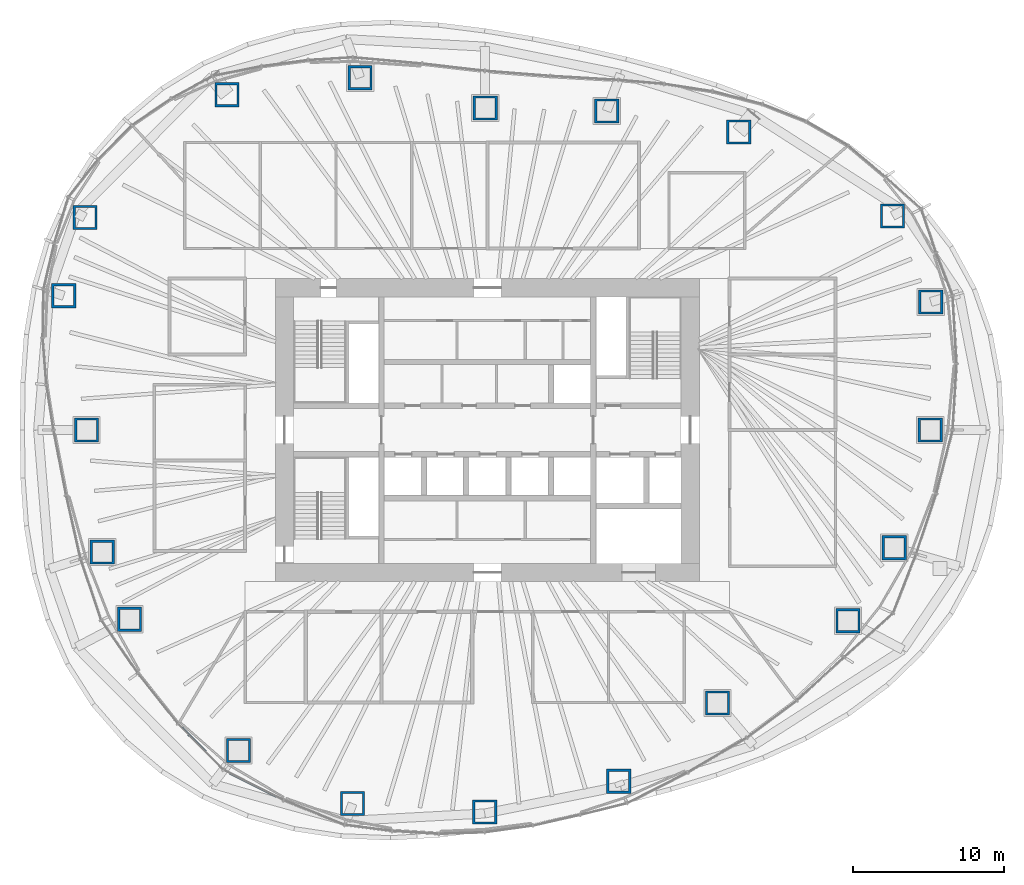
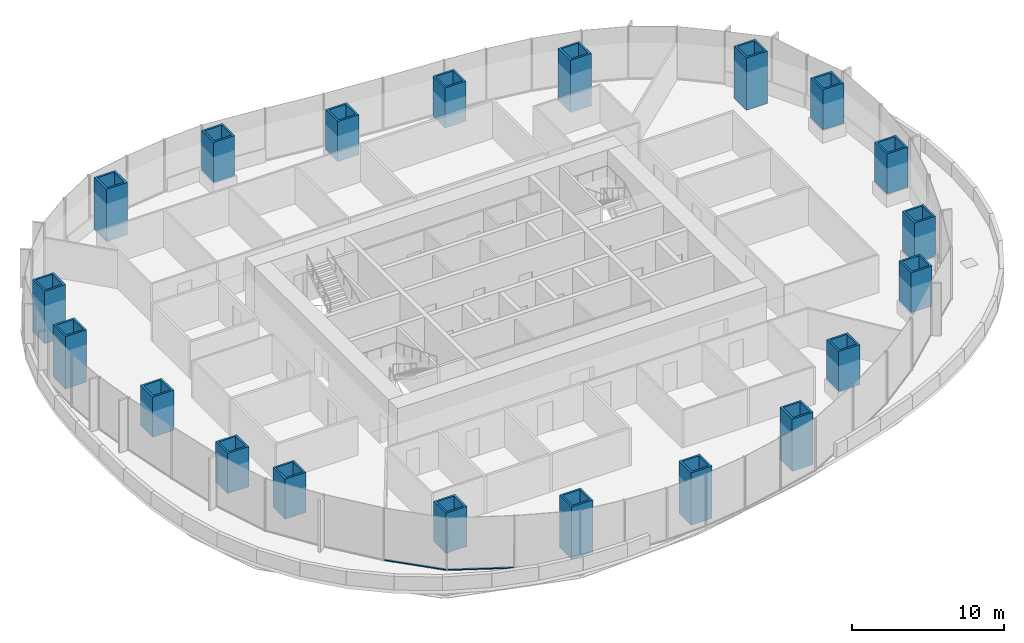
# One storey, part 1 of 20: 20 columns, 2 members, 2 elements without a shape of their own.
"""IFC4 building model written with IfcOpenShell, lengths in metres."""

from ifc_helpers import new_model, si_unit, direction, frame, origin, origin_2d, place, context, subcontext, project, spatial, rectangle, hollow_rectangle, extrude, material, material_profile, profile_set, type_object, element, aggregate, save


model = new_model("IFC4")

# Units and contexts
model_context = context("Model", 3, precision=1e-05, world=origin(), true_north=direction((0.0, 1.0)))
body_context = subcontext(model_context, "Body", "Model", "MODEL_VIEW")
ifc_project = project(units=[si_unit("LENGTHUNIT", "METRE"), si_unit("AREAUNIT", "SQUARE_METRE"), si_unit("VOLUMEUNIT", "CUBIC_METRE"), si_unit("PLANEANGLEUNIT", "RADIAN"), si_unit("MASSUNIT", "GRAM", prefix="KILO")], contexts=[model_context])

# Site, building, storey
site_placement = place(None, origin())
site = spatial("IfcSite", under=ifc_project, at=site_placement, CompositionType="ELEMENT")
building_placement = place(site_placement, origin())
building = spatial("IfcBuilding", under=site, at=building_placement, Name="Ghaith Harvest Tower", CompositionType="ELEMENT")
storey_placement = place(building_placement, frame((0.0, 0.0, 105.0)))
storey = spatial("IfcBuildingStorey", under=building, at=storey_placement, Name="L21", CompositionType="ELEMENT", Elevation=105.0)

# Columns
ifc_material_1 = material(Name="Steel S460M", Category="steel")
ifc_material_profile_1 = material_profile(ifc_material_1, hollow_rectangle(XDim=1.60009765625, YDim=1.60009765625, WallThickness=0.14990234375, at=origin_2d()), Name="BOX1600X1600X150")
ifc_profile_set_1 = profile_set([ifc_material_profile_1], Name="Steel S460M")
column_type = type_object("IfcColumnType", Name="TS11 BOX1600X1600X150", PredefinedType="COLUMN", material=ifc_profile_set_1)
for number, where, z_axis, x_axis, name in (
    (1, (29.259033203125, 0.0, 0.97509765625), (0.0, 0.0, 1.0), (1.0, 0.0, 0.0), "Perimeter column C01"),
    (2, (29.285888671875, 8.464111328125, 0.97509765625), (0.0, 0.0, 1.0), (1.0, 0.0, 0.0), "Perimeter column C02"),
):
    element("IfcColumn", number, at=place(storey_placement, frame(where, z_axis=z_axis, x_axis=x_axis)), inside=storey, type_object=column_type, Name=name, PredefinedType="COLUMN", context=body_context, shape_type="SweptSolid", body=[
        extrude(hollow_rectangle(XDim=1.60009765625, YDim=1.60009765625, WallThickness=0.14990234375, at=origin_2d()), origin(), (0.0, 0.0, 1.0), 3.224853515625),
    ])
for number, where, z_axis, x_axis, name in (
    (3, (26.763916015625, 14.14697265625, 0.0), (0.0, 0.0, 1.0), (1.0, 0.0, 0.0), "Perimeter column C03"),
    (4, (16.60791015625, 19.695068359375, 0.0), (0.0, 0.0, 1.0), (1.0, 0.0, 0.0), "Perimeter column C04"),
):
    element("IfcColumn", number, at=place(storey_placement, frame(where, z_axis=z_axis, x_axis=x_axis)), inside=storey, type_object=column_type, Name=name, PredefinedType="COLUMN", context=body_context, shape_type="SweptSolid", body=[
        extrude(hollow_rectangle(XDim=1.60009765625, YDim=1.60009765625, WallThickness=0.14990234375, at=origin_2d()), origin(), (0.0, 0.0, 1.0), 4.199951171875),
    ])
for number, where, z_axis, x_axis, name in (
    (5, (7.8779296875, 21.072021484375, 0.97509765625), (0.0, 0.0, 1.0), (1.0, 0.0, 0.0), "Perimeter column C05"),
    (6, (-0.14599609375, 21.27099609375, 0.97509765625), (0.0, 0.0, 1.0), (1.0, 0.0, 0.0), "Perimeter column C06"),
    (7, (-8.406982421875, 23.27587890625, 0.97509765625), (0.0, 0.0, 1.0), (1.0, 0.0, 0.0), "Perimeter column C07"),
):
    element("IfcColumn", number, at=place(storey_placement, frame(where, z_axis=z_axis, x_axis=x_axis)), inside=storey, type_object=column_type, Name=name, PredefinedType="COLUMN", context=body_context, shape_type="SweptSolid", body=[
        extrude(hollow_rectangle(XDim=1.60009765625, YDim=1.60009765625, WallThickness=0.14990234375, at=origin_2d()), origin(), (0.0, 0.0, 1.0), 3.224853515625),
    ])
for number, where, z_axis, x_axis, name in (
    (8, (-17.201904296875, 22.14990234375, 0.0), (0.0, 0.0, 1.0), (1.0, 0.0, 0.0), "Perimeter column C08"),
    (9, (-26.572998046875, 14.0458984375, 0.0), (0.0, 0.0, 1.0), (1.0, 0.0, 0.0), "Perimeter column C09"),
    (10, (-27.98291015625, 8.867919921875, 0.0), (0.0, 0.0, 1.0), (1.0, 0.0, 0.0), "Perimeter column C10"),
):
    element("IfcColumn", number, at=place(storey_placement, frame(where, z_axis=z_axis, x_axis=x_axis)), inside=storey, type_object=column_type, Name=name, PredefinedType="COLUMN", context=body_context, shape_type="SweptSolid", body=[
        extrude(hollow_rectangle(XDim=1.60009765625, YDim=1.60009765625, WallThickness=0.14990234375, at=origin_2d()), origin(), (0.0, 0.0, 1.0), 4.199951171875),
    ])
for number, where, z_axis, x_axis, name in (
    (11, (-26.47509765625, 0.0, 0.97509765625), (0.0, 0.0, 1.0), (1.0, 0.0, 0.0), "Perimeter column C11"),
    (12, (-25.43603515625, -8.06103515625, 0.97509765625), (0.0, 0.0, 1.0), (1.0, 0.0, 0.0), "Perimeter column C12"),
    (13, (-23.635009765625, -12.492919921875, 0.97509765625), (0.0, 0.0, 1.0), (1.0, 0.0, 0.0), "Perimeter column C13"),
    (14, (-16.43701171875, -21.1640625, 0.97509765625), (0.0, 0.0, 1.0), (1.0, 0.0, 0.0), "Perimeter column C14"),
):
    element("IfcColumn", number, at=place(storey_placement, frame(where, z_axis=z_axis, x_axis=x_axis)), inside=storey, type_object=column_type, Name=name, PredefinedType="COLUMN", context=body_context, shape_type="SweptSolid", body=[
        extrude(hollow_rectangle(XDim=1.60009765625, YDim=1.60009765625, WallThickness=0.14990234375, at=origin_2d()), origin(), (0.0, 0.0, 1.0), 3.224853515625),
    ])
for number, where, z_axis, x_axis, name in (
    (15, (-8.908935546875, -24.66796875, 0.0), (0.0, 0.0, 1.0), (1.0, 0.0, 0.0), "Perimeter column C15"),
    (16, (-0.173095703125, -25.22412109375, 0.0), (0.0, 0.0, 1.0), (1.0, 0.0, 0.0), "Perimeter column C16"),
    (17, (8.674072265625, -23.202880859375, 0.0), (0.0, 0.0, 1.0), (1.0, 0.0, 0.0), "Perimeter column C17"),
):
    element("IfcColumn", number, at=place(storey_placement, frame(where, z_axis=z_axis, x_axis=x_axis)), inside=storey, type_object=column_type, Name=name, PredefinedType="COLUMN", context=body_context, shape_type="SweptSolid", body=[
        extrude(hollow_rectangle(XDim=1.60009765625, YDim=1.60009765625, WallThickness=0.14990234375, at=origin_2d()), origin(), (0.0, 0.0, 1.0), 4.199951171875),
    ])
for number, where, z_axis, x_axis, name in (
    (18, (15.197998046875, -18.02294921875, 0.97509765625), (0.0, 0.0, 1.0), (1.0, 0.0, 0.0), "Perimeter column C18"),
    (19, (23.825927734375, -12.593994140625, 0.97509765625), (0.0, 0.0, 1.0), (1.0, 0.0, 0.0), "Perimeter column C19"),
    (20, (26.8779296875, -7.76806640625, 0.97509765625), (0.0, 0.0, 1.0), (1.0, 0.0, 0.0), "Perimeter column C20"),
):
    element("IfcColumn", number, at=place(storey_placement, frame(where, z_axis=z_axis, x_axis=x_axis)), inside=storey, type_object=column_type, Name=name, PredefinedType="COLUMN", context=body_context, shape_type="SweptSolid", body=[
        extrude(hollow_rectangle(XDim=1.60009765625, YDim=1.60009765625, WallThickness=0.14990234375, at=origin_2d()), origin(), (0.0, 0.0, 1.0), 3.224853515625),
    ])

# Curtain wall, member
ifc_material_2 = material(Name="Black anodised aluminium and fritted glass", Category="aluminium")
curtain_wall_type = type_object("IfcCurtainWallType", Name="CW-L CURTAIN WALL", PredefinedType="NOTDEFINED", material=ifc_material_2)
curtain_wall_1_placement = place(storey_placement, origin())
curtain_wall_1 = element("IfcCurtainWall", 21, at=curtain_wall_1_placement, inside=storey, type_object=curtain_wall_type, Name="Curtain wall CW-L bay 13 L21", PredefinedType="NOTDEFINED")
ifc_material_3 = material(Name="Aluminium, black anodised", Category="aluminium")
ifc_material_profile_2 = material_profile(ifc_material_3, rectangle(XDim=0.14990234375, YDim=0.080078125, at=origin_2d()), Name="CW-L TRANSOM 150x80")
ifc_profile_set_2 = profile_set([ifc_material_profile_2], Name="Aluminium, black anodised")
member_type = type_object("IfcMemberType", Name="CW-L TRANSOM 150x80", PredefinedType="USERDEFINED", material=ifc_profile_set_2)
member_1_placement = place(storey_placement, frame((-20.4130859375, -19.425048828125, 0.0400390625), z_axis=(0.702854410476, -0.711333731574, 0.0), x_axis=(0.711333731574, 0.702854410476, 0.0)))
member_1 = element("IfcMember", 22, at=member_1_placement, type_object=member_type, Name="CW-L transom 2 bay 13 L21", ObjectType="TRANSOM", PredefinedType="USERDEFINED", context=body_context, shape_type="SweptSolid", body=[
    extrude(rectangle(XDim=0.14990234375, YDim=0.080078125, at=origin_2d()), origin(), (0.0, 0.0, 1.0), 4.20361328125),
])
aggregate(curtain_wall_1, [member_1])

curtain_wall_2_placement = place(storey_placement, origin())
curtain_wall_2 = element("IfcCurtainWall", 23, at=curtain_wall_2_placement, inside=storey, type_object=curtain_wall_type, Name="Curtain wall CW-L bay 14 L21", PredefinedType="NOTDEFINED")
member_2_placement = place(storey_placement, frame((-17.394775390625, -22.461669921875, 0.0400390625), z_axis=(0.893057524502, -0.449942505138, 0.0), x_axis=(0.449942505138, 0.893057524502, 0.0)))
member_2 = element("IfcMember", 24, at=member_2_placement, type_object=member_type, Name="CW-L transom 1 bay 14 L21", ObjectType="TRANSOM", PredefinedType="USERDEFINED", context=body_context, shape_type="SweptSolid", body=[
    extrude(rectangle(XDim=0.14990234375, YDim=0.080078125, at=origin_2d()), origin(), (0.0, 0.0, 1.0), 4.362548828125),
])
aggregate(curtain_wall_2, [member_2])

save(model, "model.ifc")
